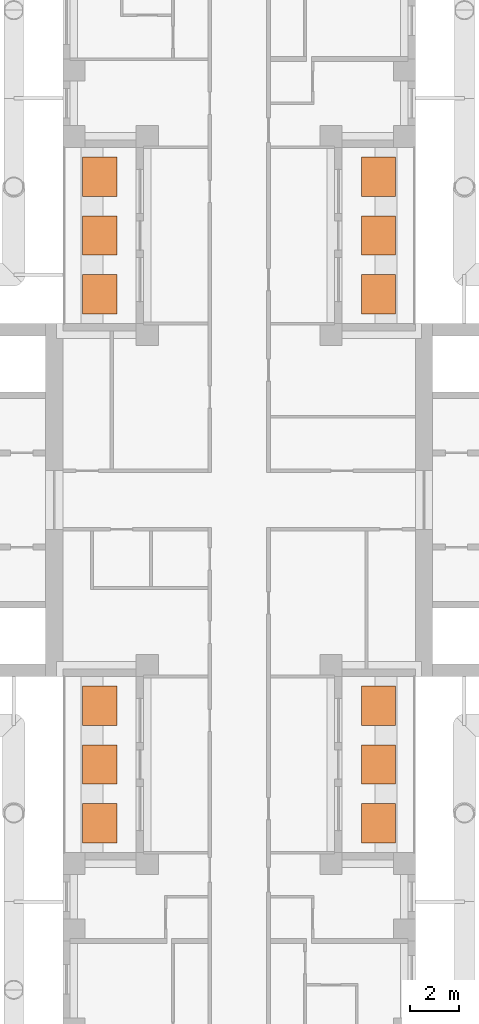
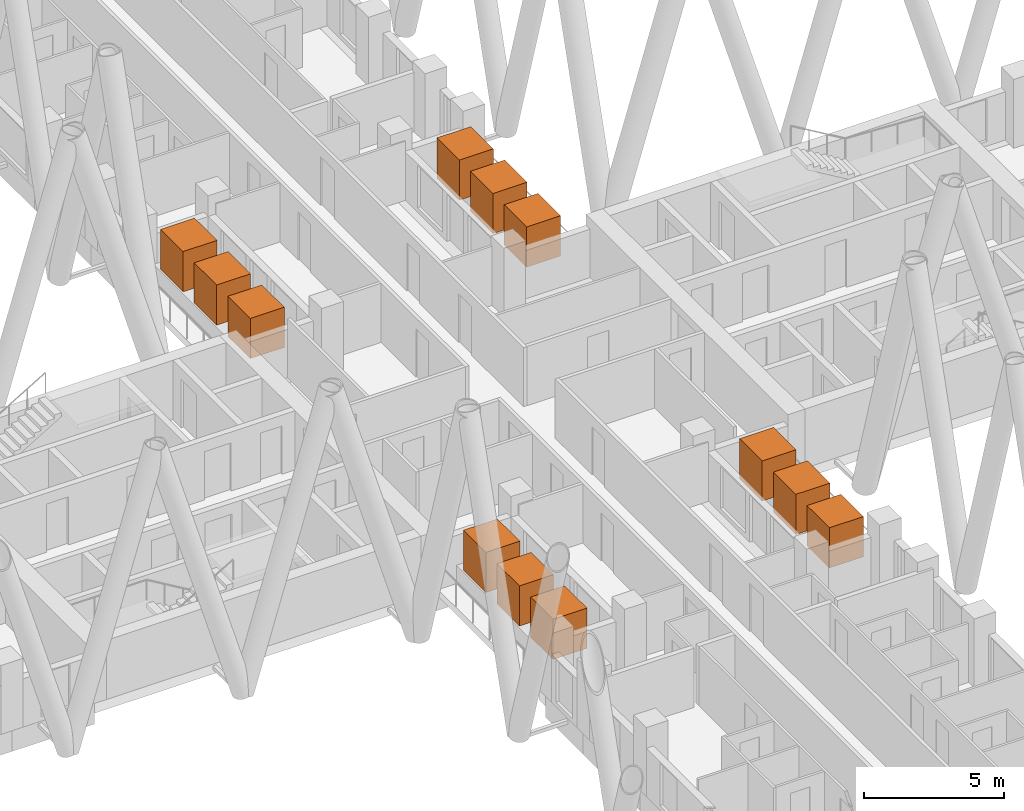
# One storey, part 17 of 17: 12 geographic elements.
"""IFC4 building model written with IfcOpenShell, lengths in metres."""

from ifc_helpers import new_model, si_unit, direction, frame, origin, origin_2d, place, context, subcontext, project, spatial, rectangle, extrude, material, element, save


model = new_model("IFC4")

# Units and contexts
model_context = context("Model", 3, precision=1e-05, world=origin(), true_north=direction((0.0, 1.0)))
body_context = subcontext(model_context, "Body", "Model", "MODEL_VIEW")
ifc_project = project(units=[si_unit("LENGTHUNIT", "METRE"), si_unit("AREAUNIT", "SQUARE_METRE"), si_unit("VOLUMEUNIT", "CUBIC_METRE"), si_unit("PLANEANGLEUNIT", "RADIAN"), si_unit("MASSUNIT", "GRAM", prefix="KILO")], contexts=[model_context])

# Site, building, storey
site_placement = place(None, origin())
site = spatial("IfcSite", under=ifc_project, at=site_placement, CompositionType="ELEMENT")
building_placement = place(site_placement, origin())
building = spatial("IfcBuilding", under=site, at=building_placement, Name="Fustian Cross Tower", CompositionType="ELEMENT")
storey_placement = place(building_placement, frame((0.0, 0.0, 32.699951171875)))
storey = spatial("IfcBuildingStorey", under=building, at=storey_placement, Name="L09", CompositionType="ELEMENT", Elevation=32.699951171875)

# Geographic elements
ifc_material = material(Name="Evergreen foliage")
for number, where, z_axis, x_axis, name in (
    (1, (5.68994140625, 8.39990234375, 0.800048828125), (0.0, 0.0, 1.0), (1.0, 0.0, 0.0), "TREE field maple"),
    (2, (5.68994140625, 10.800048828125, 0.800048828125), (0.0, 0.0, 1.0), (1.0, 0.0, 0.0), "TREE field maple"),
    (3, (5.68994140625, 13.199951171875, 0.800048828125), (0.0, 0.0, 1.0), (1.0, 0.0, 0.0), "TREE field maple"),
    (4, (-5.68994140625, 8.39990234375, 0.800048828125), (0.0, 0.0, 1.0), (1.0, 0.0, 0.0), "TREE field maple"),
    (5, (-5.68994140625, 10.800048828125, 0.800048828125), (0.0, 0.0, 1.0), (1.0, 0.0, 0.0), "TREE field maple"),
    (6, (-5.68994140625, 13.199951171875, 0.800048828125), (0.0, 0.0, 1.0), (1.0, 0.0, 0.0), "TREE field maple"),
    (7, (5.68994140625, -13.199951171875, 0.800048828125), (0.0, 0.0, 1.0), (1.0, 0.0, 0.0), "TREE field maple"),
    (8, (5.68994140625, -10.800048828125, 0.800048828125), (0.0, 0.0, 1.0), (1.0, 0.0, 0.0), "TREE field maple"),
    (9, (5.68994140625, -8.39990234375, 0.800048828125), (0.0, 0.0, 1.0), (1.0, 0.0, 0.0), "TREE field maple"),
    (10, (-5.68994140625, -13.199951171875, 0.800048828125), (0.0, 0.0, 1.0), (1.0, 0.0, 0.0), "TREE field maple"),
    (11, (-5.68994140625, -10.800048828125, 0.800048828125), (0.0, 0.0, 1.0), (1.0, 0.0, 0.0), "TREE field maple"),
    (12, (-5.68994140625, -8.39990234375, 0.800048828125), (0.0, 0.0, 1.0), (1.0, 0.0, 0.0), "TREE field maple"),
):
    element("IfcGeographicElement", number, at=place(storey_placement, frame(where, z_axis=z_axis, x_axis=x_axis)), inside=storey, material=ifc_material, Name=name, ObjectType="VEGETATION", PredefinedType="USERDEFINED", context=body_context, shape_type="SweptSolid", body=[
        extrude(rectangle(XDim=1.39990234375, YDim=1.60009765625, at=origin_2d()), origin(), (0.0, 0.0, 1.0), 1.75),
    ])

save(model, "model.ifc")
